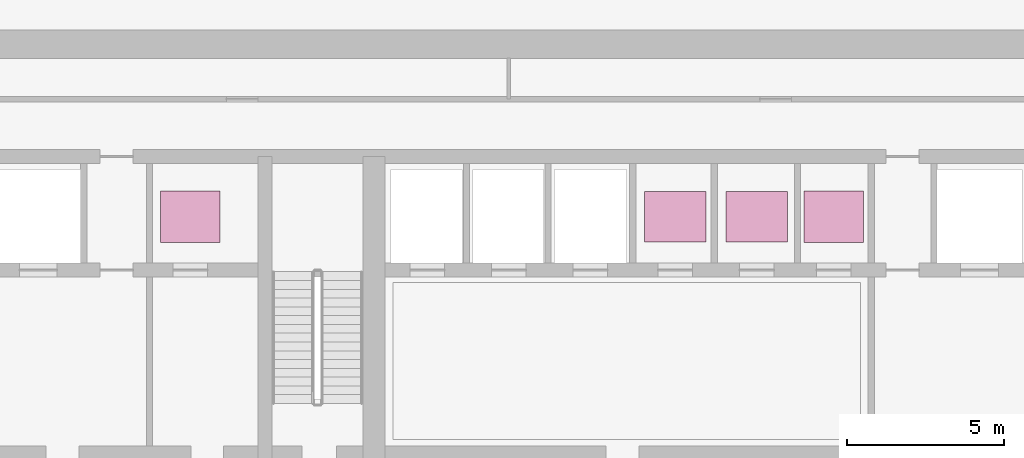
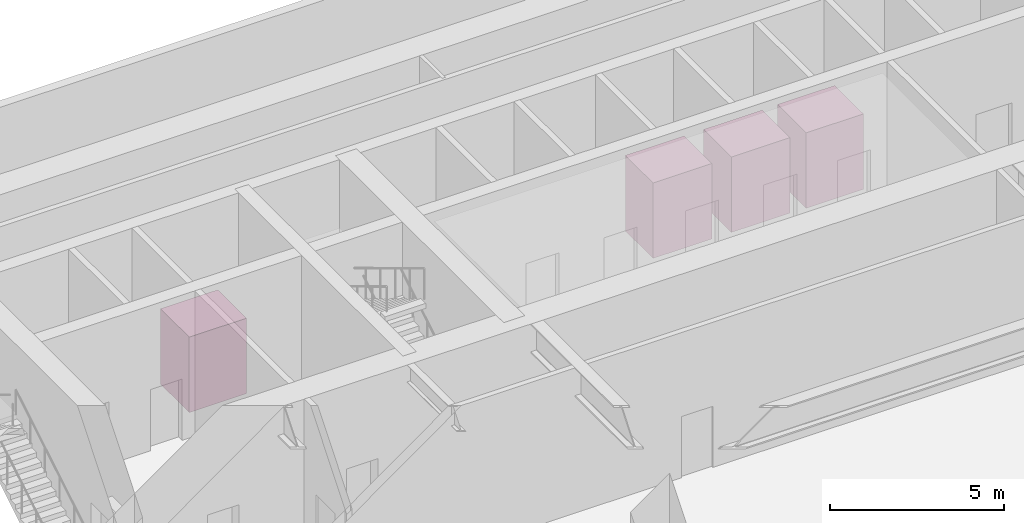
# One storey, part 11 of 11: 4 transport elements.
"""IFC4 building model written with IfcOpenShell, lengths in metres."""

from ifc_helpers import new_model, si_unit, direction, frame, origin, origin_2d, place, context, subcontext, project, spatial, rectangle, extrude, material, type_object, element, save


model = new_model("IFC4")

# Units and contexts
model_context = context("Model", 3, precision=1e-05, world=origin(), true_north=direction((0.0, 1.0)))
body_context = subcontext(model_context, "Body", "Model", "MODEL_VIEW")
ifc_project = project(units=[si_unit("LENGTHUNIT", "METRE"), si_unit("AREAUNIT", "SQUARE_METRE"), si_unit("VOLUMEUNIT", "CUBIC_METRE"), si_unit("PLANEANGLEUNIT", "RADIAN"), si_unit("MASSUNIT", "GRAM", prefix="KILO")], contexts=[model_context])

# Site, building, storey
site_placement = place(None, origin())
site = spatial("IfcSite", under=ifc_project, at=site_placement, CompositionType="ELEMENT")
building_placement = place(site_placement, origin())
building = spatial("IfcBuilding", under=site, at=building_placement, Name="Caelmar Bay Residences", CompositionType="ELEMENT")
storey_placement = place(building_placement, origin())
storey = spatial("IfcBuildingStorey", under=building, at=storey_placement, Name="L00", CompositionType="ELEMENT", Elevation=0.0)

# Transport elements
ifc_material_1 = material(Name="Anodised bronze and stone-lined passenger lift car", Category="masonry")
transport_element_type_1 = type_object("IfcTransportElementType", Name="LIFT-PAX-1600", PredefinedType="ELEVATOR", material=ifc_material_1)
for number, where, z_axis, x_axis, name in (
    (1, (44.199951171875, 44.64990234375, 0.0), (0.0, 0.0, 1.0), (1.0, 0.0, 0.0), "Elevator Car LP4"),
    (2, (46.800048828125, 44.64990234375, 0.0), (0.0, 0.0, 1.0), (1.0, 0.0, 0.0), "Elevator Car LP5"),
):
    element("IfcTransportElement", number, at=place(storey_placement, frame(where, z_axis=z_axis, x_axis=x_axis)), inside=storey, type_object=transport_element_type_1, Name=name, PredefinedType="ELEVATOR", context=body_context, shape_type="SweptSolid", body=[
        extrude(rectangle(XDim=1.949951171875, YDim=1.60009765625, at=origin_2d()), origin(), (0.0, 0.0, 1.0), 2.64990234375),
    ])
ifc_material_2 = material(Name="Anodised bronze high-speed express lift car")
transport_element_type_2 = type_object("IfcTransportElementType", Name="LIFT-PAX-1800", PredefinedType="ELEVATOR", material=ifc_material_2)
for number, where, z_axis, x_axis, name in (
    (3, (49.25, 44.64990234375, 0.0), (0.0, 0.0, 1.0), (1.0, 0.0, 0.0), "Elevator Car LP6"),
    (4, (28.75, 44.64990234375, 0.0), (0.0, 0.0, 1.0), (1.0, 0.0, 0.0), "Elevator Car LP7"),
):
    element("IfcTransportElement", number, at=place(storey_placement, frame(where, z_axis=z_axis, x_axis=x_axis)), inside=storey, type_object=transport_element_type_2, Name=name, PredefinedType="ELEVATOR", context=body_context, shape_type="SweptSolid", body=[
        extrude(rectangle(XDim=1.89990234375, YDim=1.64990234375, at=origin_2d()), origin(), (0.0, 0.0, 1.0), 2.64990234375),
    ])

save(model, "model.ifc")
